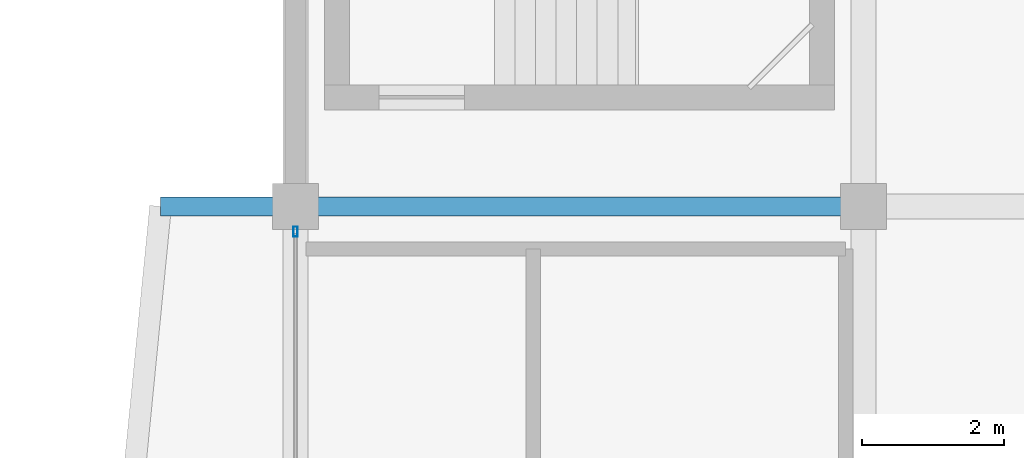
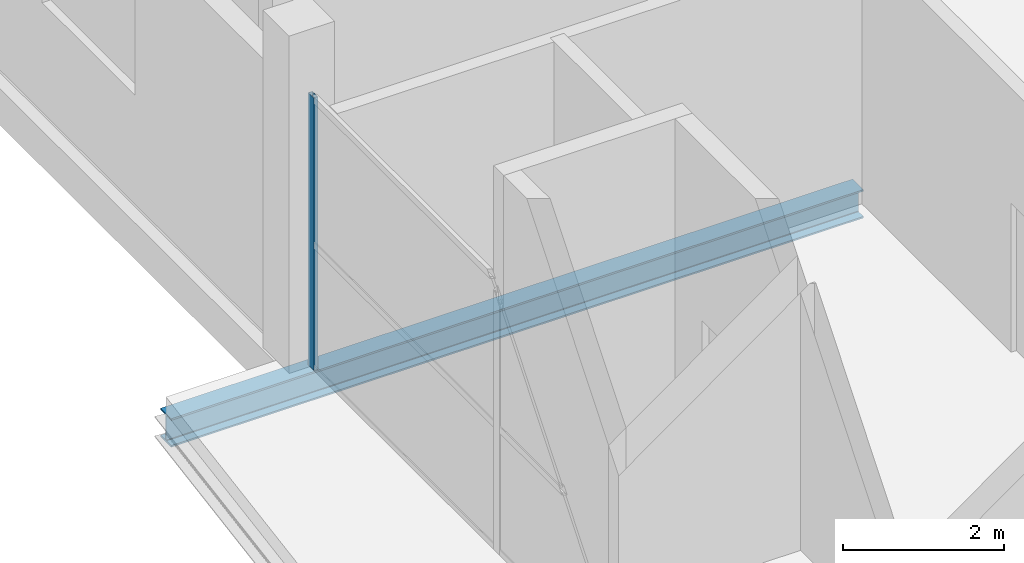
# One storey, part 27 of 66: 1 beam, 1 member, 1 element without a shape of its own.
"""IFC4 building model written with IfcOpenShell, lengths in metres."""

from ifc_helpers import new_model, si_unit, direction, frame, origin, origin_2d, place, context, subcontext, project, spatial, hollow_rectangle, i_section, extrude, material, layer, layer_set, material_profile, profile_set, type_object, element, aggregate, save


model = new_model("IFC4")

# Units and contexts
model_context = context("Model", 3, precision=1e-05, world=origin(), true_north=direction((0.0, 1.0)))
body_context = subcontext(model_context, "Body", "Model", "MODEL_VIEW")
ifc_project = project(units=[si_unit("LENGTHUNIT", "METRE"), si_unit("AREAUNIT", "SQUARE_METRE"), si_unit("VOLUMEUNIT", "CUBIC_METRE"), si_unit("PLANEANGLEUNIT", "RADIAN"), si_unit("MASSUNIT", "GRAM", prefix="KILO")], contexts=[model_context])

# Site, building, storey
site_placement = place(None, origin())
site = spatial("IfcSite", under=ifc_project, at=site_placement, CompositionType="ELEMENT")
building_placement = place(site_placement, origin())
building = spatial("IfcBuilding", under=site, at=building_placement, Name="Sillaruma Civic Art Gallery", CompositionType="ELEMENT")
storey_placement = place(building_placement, frame((0.0, 0.0, 57.1201171875)))
storey = spatial("IfcBuildingStorey", under=building, at=storey_placement, Name="L11", CompositionType="ELEMENT", Elevation=57.1201171875)

# Beam
ifc_material_1 = material(Name="Structural Steel ASTM A992 Gr.50", Category="steel")
ifc_material_profile_1 = material_profile(ifc_material_1, i_section(OverallWidth=0.264892578125, OverallDepth=0.430908203125, WebThickness=0.014892578125, FlangeThickness=0.02490234375, FilletRadius=0.012939453125, at=origin_2d()), Name="W410x149")
ifc_profile_set_1 = profile_set([ifc_material_profile_1], Name="Structural Steel ASTM A992 Gr.50")
beam_type = type_object("IfcBeamType", Name="BM-PROW-W410x149", PredefinedType="BEAM", material=ifc_profile_set_1)
beam_placement = place(storey_placement, frame((70.0, 79.199951171875, -0.465576171875), z_axis=(-1.0, 0.0, 0.0), x_axis=(0.0, -1.0, 0.0)))
element("IfcBeam", 1, at=beam_placement, inside=storey, type_object=beam_type, Name="Back-Spanned Prow Beam (PRW-L10-W-ROF-N)", PredefinedType="BEAM", context=body_context, shape_type="SweptSolid", body=[
    extrude(i_section(OverallWidth=0.264892578125, OverallDepth=0.430908203125, WebThickness=0.014892578125, FlangeThickness=0.02490234375, FilletRadius=0.012939453125, at=origin_2d()), origin(), (0.0, 0.0, 1.0), 9.89990234375),
])

# Curtain wall, member
ifc_material_2 = material(Name="Thermally Broken Extruded Aluminium 6063-T6", Category="aluminium")
ifc_layer = layer(ifc_material_2, 0.139892578125, Name="Thermally Broken Extruded Aluminium 6063-T6")
ifc_layer_set = layer_set([ifc_layer], Name="Thermally Broken Extruded Aluminium 6063-T6")
curtain_wall_type = type_object("IfcCurtainWallType", Name="CW-UNI-71", PredefinedType="NOTDEFINED", material=ifc_layer_set)
curtain_wall_placement = place(storey_placement, origin())
curtain_wall = element("IfcCurtainWall", 2, at=curtain_wall_placement, inside=storey, type_object=curtain_wall_type, Name="Unitised Curtain Wall CW-71 (CW-L11-WBW-6)", PredefinedType="NOTDEFINED")
ifc_material_profile_2 = material_profile(ifc_material_2, hollow_rectangle(XDim=0.06005859375, YDim=0.139892578125, WallThickness=0.00341796875, at=origin_2d()), Name="CWM60x140")
ifc_profile_set_2 = profile_set([ifc_material_profile_2], Name="Thermally Broken Extruded Aluminium 6063-T6")
member_type = type_object("IfcMemberType", Name="MEM-MUL-CWM60x140", PredefinedType="MULLION", material=ifc_profile_set_2)
member_placement = place(storey_placement, frame((62.0, 78.844970703125, 0.0), z_axis=(0.0, 0.0, 1.0), x_axis=(-1.0, 0.0, 0.0)))
member = element("IfcMember", 3, at=member_placement, type_object=member_type, Name="CW-71 mullion 3", PredefinedType="MULLION", context=body_context, shape_type="SweptSolid", body=[
    extrude(hollow_rectangle(XDim=0.06005859375, YDim=0.139892578125, WallThickness=0.00341796875, at=origin_2d()), origin(), (0.0, 0.0, 1.0), 4.119873046875),
])
aggregate(curtain_wall, [member])

save(model, "model.ifc")
